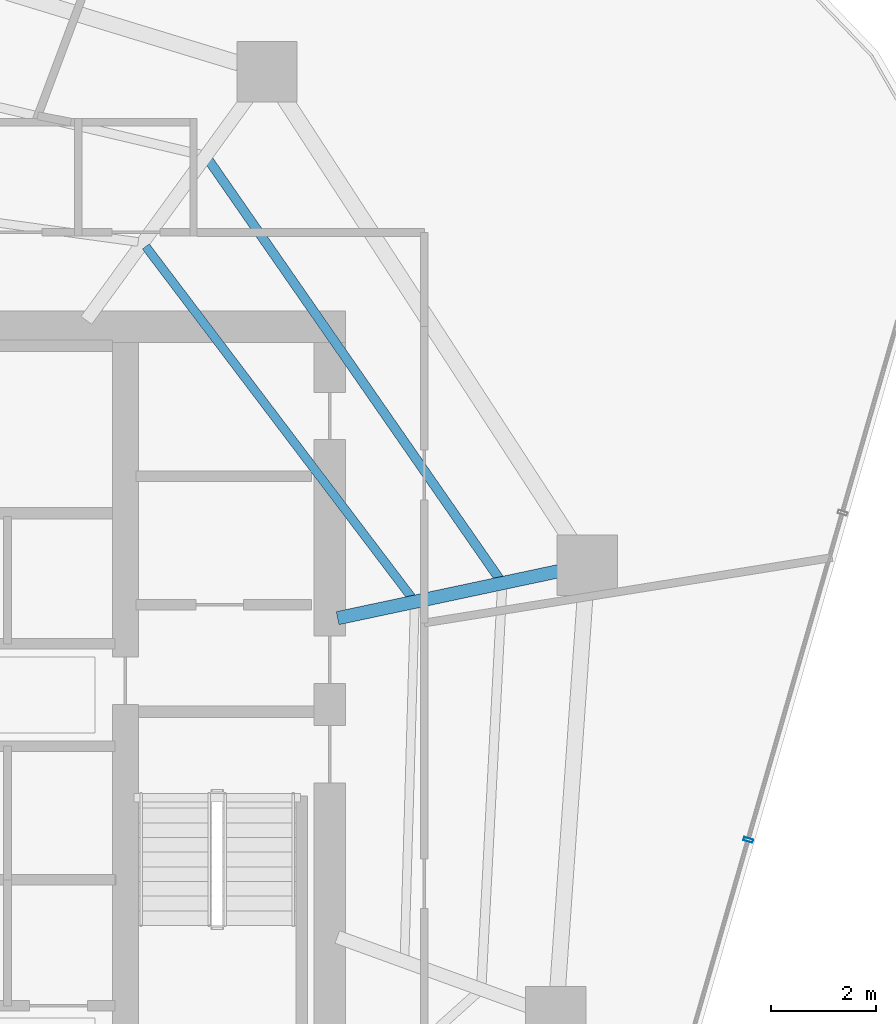
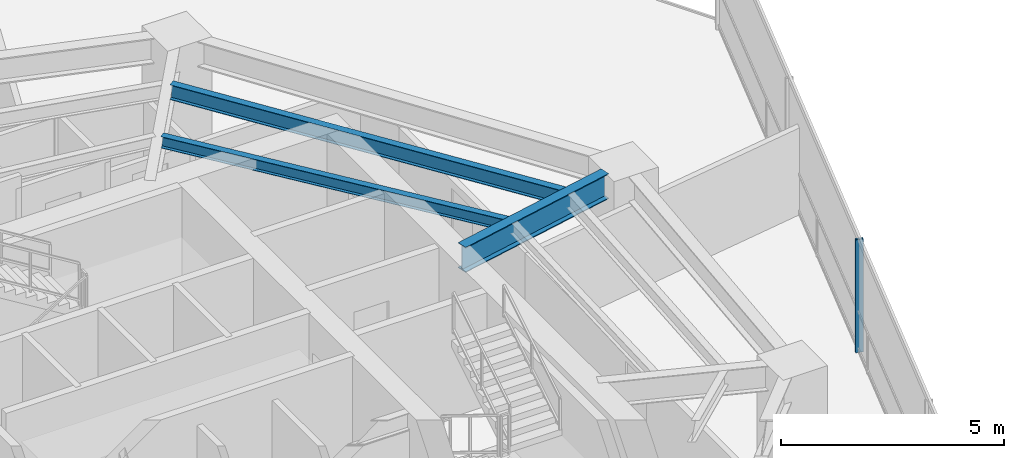
# One storey, part 10 of 23: 3 beams, 1 member, 1 element without a shape of its own.
"""IFC4 building model written with IfcOpenShell, lengths in metres."""

from ifc_helpers import new_model, si_unit, direction, frame, origin, origin_2d, place, context, subcontext, project, spatial, hollow_rectangle, i_section, extrude, material, layer, layer_set, material_profile, profile_set, type_object, element, aggregate, save


model = new_model("IFC4")

# Units and contexts
model_context = context("Model", 3, precision=1e-05, world=origin(), true_north=direction((0.0, 1.0)))
body_context = subcontext(model_context, "Body", "Model", "MODEL_VIEW")
ifc_project = project(units=[si_unit("LENGTHUNIT", "METRE"), si_unit("AREAUNIT", "SQUARE_METRE"), si_unit("VOLUMEUNIT", "CUBIC_METRE"), si_unit("PLANEANGLEUNIT", "RADIAN"), si_unit("MASSUNIT", "GRAM", prefix="KILO")], contexts=[model_context])

# Site, building, storey
site_placement = place(None, origin())
site = spatial("IfcSite", under=ifc_project, at=site_placement, CompositionType="ELEMENT")
building_placement = place(site_placement, origin())
building = spatial("IfcBuilding", under=site, at=building_placement, Name="Qarnah Convention Tower", CompositionType="ELEMENT")
storey_placement = place(building_placement, frame((0.0, 0.0, 117.75)))
storey = spatial("IfcBuildingStorey", under=building, at=storey_placement, Name="L31", CompositionType="ELEMENT", Elevation=117.75)

# Beams
ifc_material_1 = material(Name="Structural steel S355JR", Category="steel")
ifc_material_profile_1 = material_profile(ifc_material_1, i_section(OverallWidth=0.166015625, OverallDepth=0.31201171875, WebThickness=0.007080078125, FlangeThickness=0.010986328125, at=origin_2d()), Name="W310X45")
ifc_profile_set_1 = profile_set([ifc_material_profile_1], Name="Structural steel S355JR")
beam_type_1 = type_object("IfcBeamType", Name="BM-JST-W310", PredefinedType="JOIST", material=ifc_profile_set_1)
beam_1_placement = place(storey_placement, frame((49.166015625, 29.027099609375, 2.93408203125), z_axis=(-0.60383365837, 0.797110351846, 0.0), x_axis=(-0.797110351846, -0.60383365837, 0.0)))
element("IfcBeam", 1, at=beam_1_placement, inside=storey, type_object=beam_type_1, Name="L31 joist BM-L31-IJST-01", PredefinedType="JOIST", context=body_context, shape_type="SweptSolid", body=[
    extrude(i_section(OverallWidth=0.166015625, OverallDepth=0.31201171875, WebThickness=0.007080078125, FlangeThickness=0.010986328125, at=origin_2d()), origin(), (0.0, 0.0, 1.0), 8.411376953125),
])
ifc_material_profile_2 = material_profile(ifc_material_1, i_section(OverallWidth=0.177978515625, OverallDepth=0.407958984375, WebThickness=0.008056640625, FlangeThickness=0.012939453125, at=origin_2d()), Name="W410X60")
ifc_profile_set_2 = profile_set([ifc_material_profile_2], Name="Structural steel S355JR")
beam_type_2 = type_object("IfcBeamType", Name="BM-JST-W410", PredefinedType="JOIST", material=ifc_profile_set_2)
beam_2_placement = place(storey_placement, frame((50.8369140625, 29.384033203125, 2.885986328125), z_axis=(-0.57026424233, 0.821461316144, 0.0), x_axis=(-0.821461316144, -0.57026424233, 0.0)))
element("IfcBeam", 2, at=beam_2_placement, inside=storey, type_object=beam_type_2, Name="L31 joist BM-L31-SJST-01", PredefinedType="JOIST", context=body_context, shape_type="SweptSolid", body=[
    extrude(i_section(OverallWidth=0.177978515625, OverallDepth=0.407958984375, WebThickness=0.008056640625, FlangeThickness=0.012939453125, at=origin_2d()), origin(), (0.0, 0.0, 1.0), 9.737548828125),
])
ifc_material_profile_3 = material_profile(ifc_material_1, i_section(OverallWidth=0.25390625, OverallDepth=0.68798828125, WebThickness=0.012939453125, FlangeThickness=0.02099609375, at=origin_2d()), Name="W690X152")
ifc_profile_set_3 = profile_set([ifc_material_profile_3], Name="Structural steel S355JR")
beam_type_3 = type_object("IfcBeamType", Name="BM-RAD-W690", PredefinedType="BEAM", material=ifc_profile_set_3)
beam_3_placement = place(storey_placement, frame((47.7470703125, 28.64208984375, 2.74609375), z_axis=(0.978128480765, 0.20800162287, 0.0), x_axis=(-0.20800162287, 0.978128480765, 0.0)))
element("IfcBeam", 3, at=beam_3_placement, inside=storey, type_object=beam_type_3, Name="L31 beam BM-L31-RAD-01", PredefinedType="BEAM", context=body_context, shape_type="SweptSolid", body=[
    extrude(i_section(OverallWidth=0.25390625, OverallDepth=0.68798828125, WebThickness=0.012939453125, FlangeThickness=0.02099609375, at=origin_2d()), origin(), (0.0, 0.0, 1.0), 4.312255859375),
])

# Curtain wall, member
ifc_material_2 = material(Name="Tempered Low-E dark glass", Category="glass")
ifc_layer = layer(ifc_material_2, 0.169921875)
ifc_layer_set = layer_set([ifc_layer], Name="Tempered Low-E dark glass")
curtain_wall_type = type_object("IfcCurtainWallType", Name="CWS-02", PredefinedType="NOTDEFINED", material=ifc_layer_set)
curtain_wall_placement = place(storey_placement, origin())
curtain_wall = element("IfcCurtainWall", 4, at=curtain_wall_placement, inside=storey, type_object=curtain_wall_type, Name="L31 unitised curtain wall CW-L31-F3", PredefinedType="NOTDEFINED")
ifc_material_3 = material(Name="Black anodised aluminium", Category="aluminium")
ifc_material_profile_4 = material_profile(ifc_material_3, hollow_rectangle(XDim=0.06494140625, YDim=0.179931640625, WallThickness=0.00390625, at=origin_2d()), Name="MUL-65X180")
ifc_profile_set_4 = profile_set([ifc_material_profile_4], Name="Black anodised aluminium")
member_type = type_object("IfcMemberType", Name="MUL-T2", PredefinedType="MULLION", material=ifc_profile_set_4)
member_placement = place(storey_placement, frame((55.578369140625, 24.41357421875, 0.0), z_axis=(0.0, 0.0, 1.0), x_axis=(-0.276962624896, -0.960880692079, 0.0)))
member = element("IfcMember", 5, at=member_placement, type_object=member_type, Name="CW-L31-F3 mullion 3", PredefinedType="MULLION", context=body_context, shape_type="SweptSolid", body=[
    extrude(hollow_rectangle(XDim=0.06494140625, YDim=0.179931640625, WallThickness=0.00390625, at=origin_2d()), origin(), (0.0, 0.0, 1.0), 3.090087890625),
])
aggregate(curtain_wall, [member])

save(model, "model.ifc")
